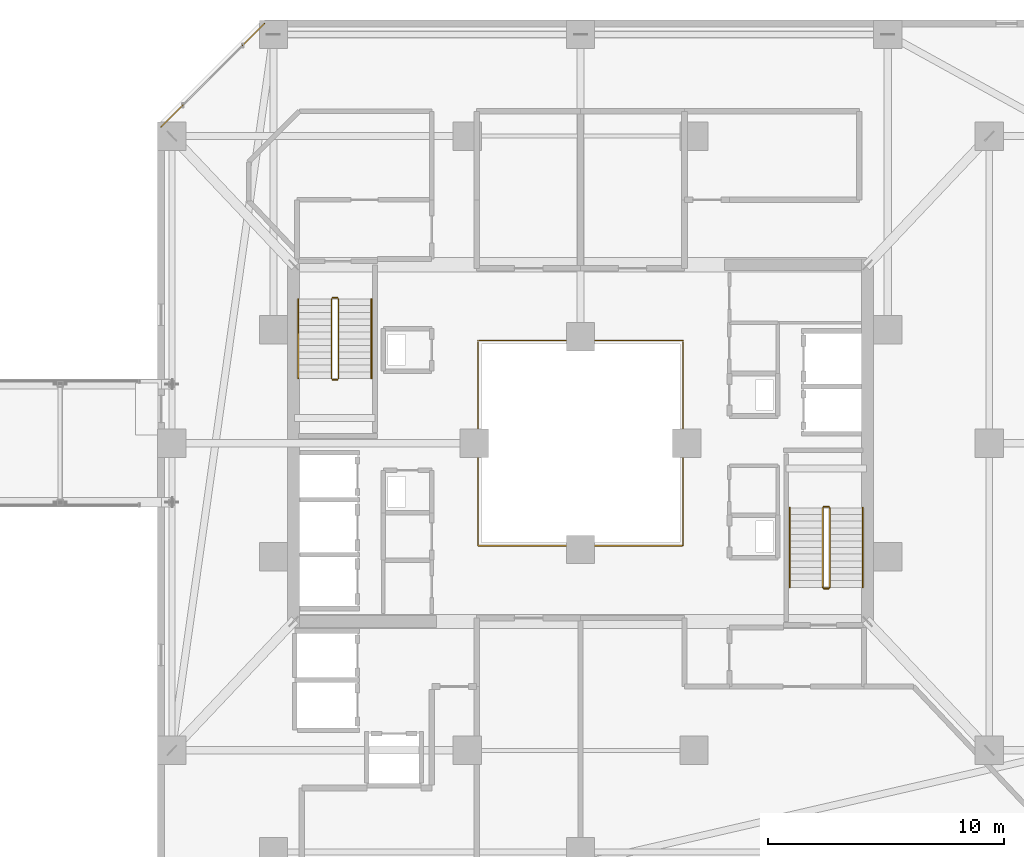
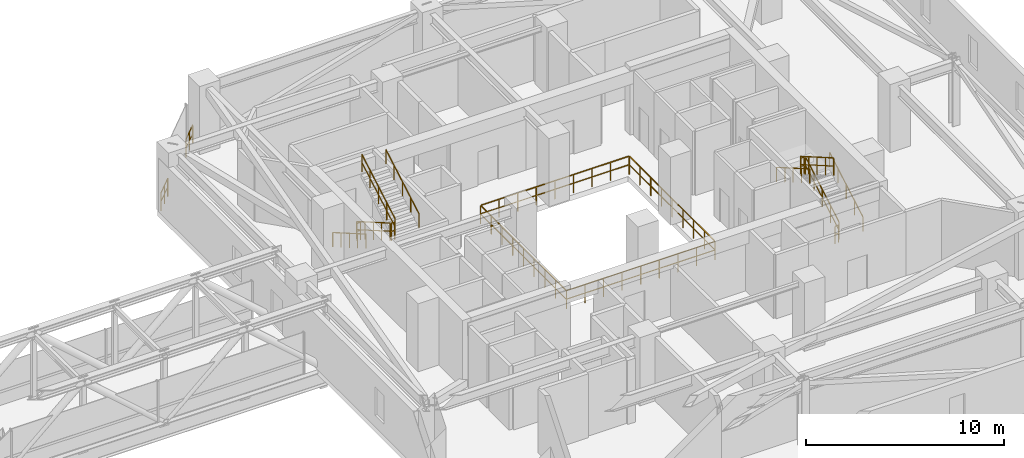
# One storey, part 45 of 45: 15 railings.
"""IFC4 building model written with IfcOpenShell, lengths in metres."""

from ifc_helpers import new_model, si_unit, direction, frame, origin, origin_2d, place, context, subcontext, project, spatial, rectangle, extrude, material, type_object, element, save


model = new_model("IFC4")

# Units and contexts
model_context = context("Model", 3, precision=1e-05, world=origin(), true_north=direction((0.0, 1.0)))
body_context = subcontext(model_context, "Body", "Model", "MODEL_VIEW")
ifc_project = project(units=[si_unit("LENGTHUNIT", "METRE"), si_unit("AREAUNIT", "SQUARE_METRE"), si_unit("VOLUMEUNIT", "CUBIC_METRE"), si_unit("PLANEANGLEUNIT", "RADIAN"), si_unit("MASSUNIT", "GRAM", prefix="KILO")], contexts=[model_context])

# Site, building, storey
site_placement = place(None, origin())
site = spatial("IfcSite", under=ifc_project, at=site_placement, CompositionType="ELEMENT")
building_placement = place(site_placement, origin())
building = spatial("IfcBuilding", under=site, at=building_placement, Name="Thornwick Lancets Civic Towers", CompositionType="ELEMENT")
storey_placement = place(building_placement, frame((0.0, 0.0, 141.300048828125)))
storey = spatial("IfcBuildingStorey", under=building, at=storey_placement, Name="L37", CompositionType="ELEMENT", Elevation=141.300048828125)

# Railings
ifc_material_1 = material(Name="Laminated glass and bronze steel S355", Category="steel")
railing_type_1 = type_object("IfcRailingType", Name="RAIL_ATRIUM_GUARD", PredefinedType="BALUSTRADE", material=ifc_material_1)
railing_1_placement = place(storey_placement, frame((84.159912109375, 22.659912109375, 0.0)))
element("IfcRailing", 1, at=railing_1_placement, inside=storey, type_object=railing_type_1, Name="L37 Tower B Central Atrium Guard Balustrade", PredefinedType="BALUSTRADE", context=body_context, shape_type="SweptSolid", body=[
    extrude(rectangle(XDim=0.048095703125, YDim=0.048095703125, at=origin_2d()), frame((0.0, 0.0, 1.1259765625), z_axis=(1.0, 0.0, 0.0), x_axis=(0.0, 1.0, 0.0)), (0.0, 0.0, 1.0), 8.64892578125),
    extrude(rectangle(XDim=0.0419921875, YDim=0.0419921875, at=origin_2d()), frame((0.03759765625, 0.0, 0.597900390625), z_axis=(1.0, 0.0, 0.0), x_axis=(0.0, 1.0, 0.0)), (0.0, 0.0, 1.0), 1.010009765625),
    extrude(rectangle(XDim=0.0419921875, YDim=0.0419921875, at=origin_2d()), frame((1.12255859375, 0.0, 0.597900390625), z_axis=(1.0, 0.0, 0.0), x_axis=(0.0, 1.0, 0.0)), (0.0, 0.0, 1.0), 1.010009765625),
    extrude(rectangle(XDim=0.0419921875, YDim=0.0419921875, at=origin_2d()), frame((2.20751953125, 0.0, 0.597900390625), z_axis=(1.0, 0.0, 0.0), x_axis=(0.0, 1.0, 0.0)), (0.0, 0.0, 1.0), 1.010009765625),
    extrude(rectangle(XDim=0.0419921875, YDim=0.0419921875, at=origin_2d()), frame((3.29248046875, 0.0, 0.597900390625), z_axis=(1.0, 0.0, 0.0), x_axis=(0.0, 1.0, 0.0)), (0.0, 0.0, 1.0), 1.010009765625),
    extrude(rectangle(XDim=0.0419921875, YDim=0.0419921875, at=origin_2d()), frame((4.377685546875, 0.0, 0.597900390625), z_axis=(1.0, 0.0, 0.0), x_axis=(0.0, 1.0, 0.0)), (0.0, 0.0, 1.0), 1.010009765625),
    extrude(rectangle(XDim=0.0419921875, YDim=0.0419921875, at=origin_2d()), frame((5.462646484375, 0.0, 0.597900390625), z_axis=(1.0, 0.0, 0.0), x_axis=(0.0, 1.0, 0.0)), (0.0, 0.0, 1.0), 1.010009765625),
    extrude(rectangle(XDim=0.0419921875, YDim=0.0419921875, at=origin_2d()), frame((6.547607421875, 0.0, 0.597900390625), z_axis=(1.0, 0.0, 0.0), x_axis=(0.0, 1.0, 0.0)), (0.0, 0.0, 1.0), 1.010009765625),
    extrude(rectangle(XDim=0.0419921875, YDim=0.0419921875, at=origin_2d()), frame((7.632568359375, 0.0, 0.597900390625), z_axis=(1.0, 0.0, 0.0), x_axis=(0.0, 1.0, 0.0)), (0.0, 0.0, 1.0), 1.010009765625),
    extrude(rectangle(XDim=0.048095703125, YDim=0.048095703125, at=origin_2d()), frame((8.68017578125, 0.03125, 1.1259765625), z_axis=(0.0, 1.0, 0.0), x_axis=(-1.0, 0.0, 0.0)), (0.0, 0.0, 1.0), 8.61767578125),
    extrude(rectangle(XDim=0.0419921875, YDim=0.0419921875, at=origin_2d()), frame((8.68017578125, 0.03759765625, 0.597900390625), z_axis=(0.0, 1.0, 0.0), x_axis=(-1.0, 0.0, 0.0)), (0.0, 0.0, 1.0), 1.010009765625),
    extrude(rectangle(XDim=0.0419921875, YDim=0.0419921875, at=origin_2d()), frame((8.68017578125, 1.12255859375, 0.597900390625), z_axis=(0.0, 1.0, 0.0), x_axis=(-1.0, 0.0, 0.0)), (0.0, 0.0, 1.0), 1.010009765625),
    extrude(rectangle(XDim=0.0419921875, YDim=0.0419921875, at=origin_2d()), frame((8.68017578125, 2.20751953125, 0.597900390625), z_axis=(0.0, 1.0, 0.0), x_axis=(-1.0, 0.0, 0.0)), (0.0, 0.0, 1.0), 1.010009765625),
    extrude(rectangle(XDim=0.0419921875, YDim=0.0419921875, at=origin_2d()), frame((8.68017578125, 3.29248046875, 0.597900390625), z_axis=(0.0, 1.0, 0.0), x_axis=(-1.0, 0.0, 0.0)), (0.0, 0.0, 1.0), 1.010009765625),
    extrude(rectangle(XDim=0.0419921875, YDim=0.0419921875, at=origin_2d()), frame((8.68017578125, 4.377685546875, 0.597900390625), z_axis=(0.0, 1.0, 0.0), x_axis=(-1.0, 0.0, 0.0)), (0.0, 0.0, 1.0), 1.010009765625),
    extrude(rectangle(XDim=0.0419921875, YDim=0.0419921875, at=origin_2d()), frame((8.68017578125, 5.462646484375, 0.597900390625), z_axis=(0.0, 1.0, 0.0), x_axis=(-1.0, 0.0, 0.0)), (0.0, 0.0, 1.0), 1.010009765625),
    extrude(rectangle(XDim=0.0419921875, YDim=0.0419921875, at=origin_2d()), frame((8.68017578125, 6.547607421875, 0.597900390625), z_axis=(0.0, 1.0, 0.0), x_axis=(-1.0, 0.0, 0.0)), (0.0, 0.0, 1.0), 1.010009765625),
    extrude(rectangle(XDim=0.0419921875, YDim=0.0419921875, at=origin_2d()), frame((8.68017578125, 7.632568359375, 0.597900390625), z_axis=(0.0, 1.0, 0.0), x_axis=(-1.0, 0.0, 0.0)), (0.0, 0.0, 1.0), 1.010009765625),
    extrude(rectangle(XDim=0.048095703125, YDim=0.048095703125, at=origin_2d()), frame((8.64892578125, 8.68017578125, 1.1259765625), z_axis=(-1.0, 0.0, 0.0), x_axis=(0.0, -1.0, 0.0)), (0.0, 0.0, 1.0), 8.61767578125),
    extrude(rectangle(XDim=0.0419921875, YDim=0.0419921875, at=origin_2d()), frame((8.642578125, 8.68017578125, 0.597900390625), z_axis=(-1.0, 0.0, 0.0), x_axis=(0.0, -1.0, 0.0)), (0.0, 0.0, 1.0), 1.010009765625),
    extrude(rectangle(XDim=0.0419921875, YDim=0.0419921875, at=origin_2d()), frame((7.5576171875, 8.68017578125, 0.597900390625), z_axis=(-1.0, 0.0, 0.0), x_axis=(0.0, -1.0, 0.0)), (0.0, 0.0, 1.0), 1.010009765625),
    extrude(rectangle(XDim=0.0419921875, YDim=0.0419921875, at=origin_2d()), frame((6.47265625, 8.68017578125, 0.597900390625), z_axis=(-1.0, 0.0, 0.0), x_axis=(0.0, -1.0, 0.0)), (0.0, 0.0, 1.0), 1.010009765625),
    extrude(rectangle(XDim=0.0419921875, YDim=0.0419921875, at=origin_2d()), frame((5.3876953125, 8.68017578125, 0.597900390625), z_axis=(-1.0, 0.0, 0.0), x_axis=(0.0, -1.0, 0.0)), (0.0, 0.0, 1.0), 1.010009765625),
    extrude(rectangle(XDim=0.0419921875, YDim=0.0419921875, at=origin_2d()), frame((4.302490234375, 8.68017578125, 0.597900390625), z_axis=(-1.0, 0.0, 0.0), x_axis=(0.0, -1.0, 0.0)), (0.0, 0.0, 1.0), 1.010009765625),
    extrude(rectangle(XDim=0.0419921875, YDim=0.0419921875, at=origin_2d()), frame((3.217529296875, 8.68017578125, 0.597900390625), z_axis=(-1.0, 0.0, 0.0), x_axis=(0.0, -1.0, 0.0)), (0.0, 0.0, 1.0), 1.010009765625),
    extrude(rectangle(XDim=0.0419921875, YDim=0.0419921875, at=origin_2d()), frame((2.132568359375, 8.68017578125, 0.597900390625), z_axis=(-1.0, 0.0, 0.0), x_axis=(0.0, -1.0, 0.0)), (0.0, 0.0, 1.0), 1.010009765625),
    extrude(rectangle(XDim=0.0419921875, YDim=0.0419921875, at=origin_2d()), frame((1.047607421875, 8.68017578125, 0.597900390625), z_axis=(-1.0, 0.0, 0.0), x_axis=(0.0, -1.0, 0.0)), (0.0, 0.0, 1.0), 1.010009765625),
    extrude(rectangle(XDim=0.048095703125, YDim=0.048095703125, at=origin_2d()), frame((0.0, 8.64892578125, 1.1259765625), z_axis=(0.0, -1.0, 0.0), x_axis=(1.0, 0.0, 0.0)), (0.0, 0.0, 1.0), 8.64892578125),
    extrude(rectangle(XDim=0.0419921875, YDim=0.0419921875, at=origin_2d()), frame((0.0, 8.642578125, 0.597900390625), z_axis=(0.0, -1.0, 0.0), x_axis=(1.0, 0.0, 0.0)), (0.0, 0.0, 1.0), 1.010009765625),
    extrude(rectangle(XDim=0.0419921875, YDim=0.0419921875, at=origin_2d()), frame((0.0, 7.5576171875, 0.597900390625), z_axis=(0.0, -1.0, 0.0), x_axis=(1.0, 0.0, 0.0)), (0.0, 0.0, 1.0), 1.010009765625),
    extrude(rectangle(XDim=0.0419921875, YDim=0.0419921875, at=origin_2d()), frame((0.0, 6.47265625, 0.597900390625), z_axis=(0.0, -1.0, 0.0), x_axis=(1.0, 0.0, 0.0)), (0.0, 0.0, 1.0), 1.010009765625),
    extrude(rectangle(XDim=0.0419921875, YDim=0.0419921875, at=origin_2d()), frame((0.0, 5.3876953125, 0.597900390625), z_axis=(0.0, -1.0, 0.0), x_axis=(1.0, 0.0, 0.0)), (0.0, 0.0, 1.0), 1.010009765625),
    extrude(rectangle(XDim=0.0419921875, YDim=0.0419921875, at=origin_2d()), frame((0.0, 4.302490234375, 0.597900390625), z_axis=(0.0, -1.0, 0.0), x_axis=(1.0, 0.0, 0.0)), (0.0, 0.0, 1.0), 1.010009765625),
    extrude(rectangle(XDim=0.0419921875, YDim=0.0419921875, at=origin_2d()), frame((0.0, 3.217529296875, 0.597900390625), z_axis=(0.0, -1.0, 0.0), x_axis=(1.0, 0.0, 0.0)), (0.0, 0.0, 1.0), 1.010009765625),
    extrude(rectangle(XDim=0.0419921875, YDim=0.0419921875, at=origin_2d()), frame((0.0, 2.132568359375, 0.597900390625), z_axis=(0.0, -1.0, 0.0), x_axis=(1.0, 0.0, 0.0)), (0.0, 0.0, 1.0), 1.010009765625),
    extrude(rectangle(XDim=0.0419921875, YDim=0.0419921875, at=origin_2d()), frame((0.0, 1.047607421875, 0.597900390625), z_axis=(0.0, -1.0, 0.0), x_axis=(1.0, 0.0, 0.0)), (0.0, 0.0, 1.0), 1.010009765625),
    extrude(rectangle(XDim=0.0419921875, YDim=0.0419921875, at=origin_2d()), origin(), (0.0, 0.0, 1.0), 1.095703125),
    extrude(rectangle(XDim=0.0419921875, YDim=0.0419921875, at=origin_2d()), frame((1.0849609375, 0.0, 0.0)), (0.0, 0.0, 1.0), 1.095703125),
    extrude(rectangle(XDim=0.0419921875, YDim=0.0419921875, at=origin_2d()), frame((2.169921875, 0.0, 0.0)), (0.0, 0.0, 1.0), 1.095703125),
    extrude(rectangle(XDim=0.0419921875, YDim=0.0419921875, at=origin_2d()), frame((3.255126953125, 0.0, 0.0)), (0.0, 0.0, 1.0), 1.095703125),
    extrude(rectangle(XDim=0.0419921875, YDim=0.0419921875, at=origin_2d()), frame((4.340087890625, 0.0, 0.0)), (0.0, 0.0, 1.0), 1.095703125),
    extrude(rectangle(XDim=0.0419921875, YDim=0.0419921875, at=origin_2d()), frame((5.425048828125, 0.0, 0.0)), (0.0, 0.0, 1.0), 1.095703125),
    extrude(rectangle(XDim=0.0419921875, YDim=0.0419921875, at=origin_2d()), frame((6.51025390625, 0.0, 0.0)), (0.0, 0.0, 1.0), 1.095703125),
    extrude(rectangle(XDim=0.0419921875, YDim=0.0419921875, at=origin_2d()), frame((7.59521484375, 0.0, 0.0)), (0.0, 0.0, 1.0), 1.095703125),
    extrude(rectangle(XDim=0.0419921875, YDim=0.0419921875, at=origin_2d()), frame((8.68017578125, 0.0, 0.0)), (0.0, 0.0, 1.0), 1.095703125),
    extrude(rectangle(XDim=0.0419921875, YDim=0.0419921875, at=origin_2d()), frame((8.68017578125, 1.0849609375, 0.0)), (0.0, 0.0, 1.0), 1.095703125),
    extrude(rectangle(XDim=0.0419921875, YDim=0.0419921875, at=origin_2d()), frame((8.68017578125, 2.169921875, 0.0)), (0.0, 0.0, 1.0), 1.095703125),
    extrude(rectangle(XDim=0.0419921875, YDim=0.0419921875, at=origin_2d()), frame((8.68017578125, 3.255126953125, 0.0)), (0.0, 0.0, 1.0), 1.095703125),
    extrude(rectangle(XDim=0.0419921875, YDim=0.0419921875, at=origin_2d()), frame((8.68017578125, 4.340087890625, 0.0)), (0.0, 0.0, 1.0), 1.095703125),
    extrude(rectangle(XDim=0.0419921875, YDim=0.0419921875, at=origin_2d()), frame((8.68017578125, 5.425048828125, 0.0)), (0.0, 0.0, 1.0), 1.095703125),
    extrude(rectangle(XDim=0.0419921875, YDim=0.0419921875, at=origin_2d()), frame((8.68017578125, 6.51025390625, 0.0)), (0.0, 0.0, 1.0), 1.095703125),
    extrude(rectangle(XDim=0.0419921875, YDim=0.0419921875, at=origin_2d()), frame((8.68017578125, 7.59521484375, 0.0)), (0.0, 0.0, 1.0), 1.095703125),
    extrude(rectangle(XDim=0.0419921875, YDim=0.0419921875, at=origin_2d()), frame((8.68017578125, 8.68017578125, 0.0)), (0.0, 0.0, 1.0), 1.095703125),
    extrude(rectangle(XDim=0.0419921875, YDim=0.0419921875, at=origin_2d()), frame((7.59521484375, 8.68017578125, 0.0)), (0.0, 0.0, 1.0), 1.095703125),
    extrude(rectangle(XDim=0.0419921875, YDim=0.0419921875, at=origin_2d()), frame((6.51025390625, 8.68017578125, 0.0)), (0.0, 0.0, 1.0), 1.095703125),
    extrude(rectangle(XDim=0.0419921875, YDim=0.0419921875, at=origin_2d()), frame((5.425048828125, 8.68017578125, 0.0)), (0.0, 0.0, 1.0), 1.095703125),
    extrude(rectangle(XDim=0.0419921875, YDim=0.0419921875, at=origin_2d()), frame((4.340087890625, 8.68017578125, 0.0)), (0.0, 0.0, 1.0), 1.095703125),
    extrude(rectangle(XDim=0.0419921875, YDim=0.0419921875, at=origin_2d()), frame((3.255126953125, 8.68017578125, 0.0)), (0.0, 0.0, 1.0), 1.095703125),
    extrude(rectangle(XDim=0.0419921875, YDim=0.0419921875, at=origin_2d()), frame((2.169921875, 8.68017578125, 0.0)), (0.0, 0.0, 1.0), 1.095703125),
    extrude(rectangle(XDim=0.0419921875, YDim=0.0419921875, at=origin_2d()), frame((1.0849609375, 8.68017578125, 0.0)), (0.0, 0.0, 1.0), 1.095703125),
    extrude(rectangle(XDim=0.0419921875, YDim=0.0419921875, at=origin_2d()), frame((0.0, 8.68017578125, 0.0)), (0.0, 0.0, 1.0), 1.095703125),
    extrude(rectangle(XDim=0.0419921875, YDim=0.0419921875, at=origin_2d()), frame((0.0, 7.59521484375, 0.0)), (0.0, 0.0, 1.0), 1.095703125),
    extrude(rectangle(XDim=0.0419921875, YDim=0.0419921875, at=origin_2d()), frame((0.0, 6.51025390625, 0.0)), (0.0, 0.0, 1.0), 1.095703125),
    extrude(rectangle(XDim=0.0419921875, YDim=0.0419921875, at=origin_2d()), frame((0.0, 5.425048828125, 0.0)), (0.0, 0.0, 1.0), 1.095703125),
    extrude(rectangle(XDim=0.0419921875, YDim=0.0419921875, at=origin_2d()), frame((0.0, 4.340087890625, 0.0)), (0.0, 0.0, 1.0), 1.095703125),
    extrude(rectangle(XDim=0.0419921875, YDim=0.0419921875, at=origin_2d()), frame((0.0, 3.255126953125, 0.0)), (0.0, 0.0, 1.0), 1.095703125),
    extrude(rectangle(XDim=0.0419921875, YDim=0.0419921875, at=origin_2d()), frame((0.0, 2.169921875, 0.0)), (0.0, 0.0, 1.0), 1.095703125),
    extrude(rectangle(XDim=0.0419921875, YDim=0.0419921875, at=origin_2d()), frame((0.0, 1.0849609375, 0.0)), (0.0, 0.0, 1.0), 1.095703125),
])
ifc_material_2 = material(Name="Brushed stainless steel S355", Category="steel")
railing_type_2 = type_object("IfcRailingType", Name="RAIL_HANDRAIL", PredefinedType="HANDRAIL", material=ifc_material_2)
railing_2_placement = place(storey_placement, frame((100.449951171875, 20.89990234375, 0.161376953125)))
element("IfcRailing", 2, at=railing_2_placement, inside=storey, type_object=railing_type_2, Name="L37 ST-B1 stair handrail 1", PredefinedType="HANDRAIL", context=body_context, shape_type="SweptSolid", body=[
    extrude(rectangle(XDim=0.048095703125, YDim=0.048095703125, at=origin_2d()), frame((0.0, 0.0, 0.8857421875), z_axis=(0.0, 0.866190824863, 0.499713372768), x_axis=(-1.0, 0.0, 0.0)), (0.0, 0.0, 1.0), 3.879150390625),
    extrude(rectangle(XDim=0.0419921875, YDim=0.0419921875, at=origin_2d()), origin(), (0.0, 0.0, 1.0), 0.855712890625),
    extrude(rectangle(XDim=0.0419921875, YDim=0.0419921875, at=origin_2d()), frame((0.0, 0.840087890625, 0.484619140625)), (0.0, 0.0, 1.0), 0.855712890625),
    extrude(rectangle(XDim=0.0419921875, YDim=0.0419921875, at=origin_2d()), frame((0.0, 1.68017578125, 0.96923828125)), (0.0, 0.0, 1.0), 0.855712890625),
    extrude(rectangle(XDim=0.0419921875, YDim=0.0419921875, at=origin_2d()), frame((0.0, 2.52001953125, 1.453857421875)), (0.0, 0.0, 1.0), 0.855712890625),
    extrude(rectangle(XDim=0.0419921875, YDim=0.0419921875, at=origin_2d()), frame((0.0, 3.360107421875, 1.9384765625)), (0.0, 0.0, 1.0), 0.855712890625),
])
for number, where, name in (
    (3, (97.35009765625, 24.260009765625, 2.261474609375), "L37 ST-B1 stair handrail 2"),
    (4, (76.550048828125, 33.10009765625, 0.161376953125), "L37 ST-B2 stair handrail 1"),
):
    element("IfcRailing", number, at=place(storey_placement, frame(where)), inside=storey, type_object=railing_type_2, Name=name, PredefinedType="HANDRAIL", context=body_context, shape_type="SweptSolid", body=[
        extrude(rectangle(XDim=0.048095703125, YDim=0.048095703125, at=origin_2d()), frame((0.0, 0.0, 0.8857421875), z_axis=(0.0, -0.866190824863, 0.499713372768), x_axis=(1.0, 0.0, 0.0)), (0.0, 0.0, 1.0), 3.879150390625),
        extrude(rectangle(XDim=0.0419921875, YDim=0.0419921875, at=origin_2d()), origin(), (0.0, 0.0, 1.0), 0.855712890625),
        extrude(rectangle(XDim=0.0419921875, YDim=0.0419921875, at=origin_2d()), frame((0.0, -0.840087890625, 0.484619140625)), (0.0, 0.0, 1.0), 0.855712890625),
        extrude(rectangle(XDim=0.0419921875, YDim=0.0419921875, at=origin_2d()), frame((0.0, -1.68017578125, 0.96923828125)), (0.0, 0.0, 1.0), 0.855712890625),
        extrude(rectangle(XDim=0.0419921875, YDim=0.0419921875, at=origin_2d()), frame((0.0, -2.52001953125, 1.453857421875)), (0.0, 0.0, 1.0), 0.855712890625),
        extrude(rectangle(XDim=0.0419921875, YDim=0.0419921875, at=origin_2d()), frame((0.0, -3.360107421875, 1.9384765625)), (0.0, 0.0, 1.0), 0.855712890625),
    ])
railing_3_placement = place(storey_placement, frame((79.64990234375, 29.739990234375, 2.261474609375)))
element("IfcRailing", 5, at=railing_3_placement, inside=storey, type_object=railing_type_2, Name="L37 ST-B2 stair handrail 2", PredefinedType="HANDRAIL", context=body_context, shape_type="SweptSolid", body=[
    extrude(rectangle(XDim=0.048095703125, YDim=0.048095703125, at=origin_2d()), frame((0.0, 0.0, 0.8857421875), z_axis=(0.0, 0.866190824863, 0.499713372768), x_axis=(-1.0, 0.0, 0.0)), (0.0, 0.0, 1.0), 3.879150390625),
    extrude(rectangle(XDim=0.0419921875, YDim=0.0419921875, at=origin_2d()), origin(), (0.0, 0.0, 1.0), 0.855712890625),
    extrude(rectangle(XDim=0.0419921875, YDim=0.0419921875, at=origin_2d()), frame((0.0, 0.840087890625, 0.484619140625)), (0.0, 0.0, 1.0), 0.855712890625),
    extrude(rectangle(XDim=0.0419921875, YDim=0.0419921875, at=origin_2d()), frame((0.0, 1.68017578125, 0.96923828125)), (0.0, 0.0, 1.0), 0.855712890625),
    extrude(rectangle(XDim=0.0419921875, YDim=0.0419921875, at=origin_2d()), frame((0.0, 2.52001953125, 1.453857421875)), (0.0, 0.0, 1.0), 0.855712890625),
    extrude(rectangle(XDim=0.0419921875, YDim=0.0419921875, at=origin_2d()), frame((0.0, 3.360107421875, 1.9384765625)), (0.0, 0.0, 1.0), 0.855712890625),
])
ifc_material_3 = material(Name="Steel S355JR", Category="steel")
railing_type_3 = type_object("IfcRailingType", Name="RAIL_STAIR_GUARD", PredefinedType="GUARDRAIL", material=ifc_material_3)
railing_4_placement = place(storey_placement, frame((99.050048828125, 20.89990234375, 0.161376953125)))
element("IfcRailing", 6, at=railing_4_placement, inside=storey, type_object=railing_type_3, Name="L37 ST-B1 stair guard 1", PredefinedType="GUARDRAIL", context=body_context, shape_type="SweptSolid", body=[
    extrude(rectangle(XDim=0.048095703125, YDim=0.048095703125, at=origin_2d()), frame((0.0, 0.0, 1.076171875), z_axis=(0.0, 0.866190824863, 0.499713372768), x_axis=(-1.0, 0.0, 0.0)), (0.0, 0.0, 1.0), 3.879150390625),
    extrude(rectangle(XDim=0.0419921875, YDim=0.0419921875, at=origin_2d()), frame((0.0, 0.032470703125, 0.5908203125), z_axis=(0.0, 0.866190824863, 0.499713372768), x_axis=(-1.0, 0.0, 0.0)), (0.0, 0.0, 1.0), 0.894775390625),
    extrude(rectangle(XDim=0.0419921875, YDim=0.0419921875, at=origin_2d()), frame((0.0, 0.87255859375, 1.075439453125), z_axis=(0.0, 0.866190824863, 0.499713372768), x_axis=(-1.0, 0.0, 0.0)), (0.0, 0.0, 1.0), 0.894775390625),
    extrude(rectangle(XDim=0.0419921875, YDim=0.0419921875, at=origin_2d()), frame((0.0, 1.712646484375, 1.56005859375), z_axis=(0.0, 0.866190824863, 0.499713372768), x_axis=(-1.0, 0.0, 0.0)), (0.0, 0.0, 1.0), 0.894775390625),
    extrude(rectangle(XDim=0.0419921875, YDim=0.0419921875, at=origin_2d()), frame((0.0, 2.552490234375, 2.044677734375), z_axis=(0.0, 0.866190824863, 0.499713372768), x_axis=(-1.0, 0.0, 0.0)), (0.0, 0.0, 1.0), 0.894775390625),
    extrude(rectangle(XDim=0.0419921875, YDim=0.0419921875, at=origin_2d()), origin(), (0.0, 0.0, 1.0), 1.0458984375),
    extrude(rectangle(XDim=0.0419921875, YDim=0.0419921875, at=origin_2d()), frame((0.0, 0.840087890625, 0.484619140625)), (0.0, 0.0, 1.0), 1.0458984375),
    extrude(rectangle(XDim=0.0419921875, YDim=0.0419921875, at=origin_2d()), frame((0.0, 1.68017578125, 0.96923828125)), (0.0, 0.0, 1.0), 1.0458984375),
    extrude(rectangle(XDim=0.0419921875, YDim=0.0419921875, at=origin_2d()), frame((0.0, 2.52001953125, 1.453857421875)), (0.0, 0.0, 1.0), 1.0458984375),
    extrude(rectangle(XDim=0.0419921875, YDim=0.0419921875, at=origin_2d()), frame((0.0, 3.360107421875, 1.9384765625)), (0.0, 0.0, 1.0), 1.0458984375),
])
railing_5_placement = place(storey_placement, frame((99.0, 24.31005859375, 2.099853515625)))
element("IfcRailing", 7, at=railing_5_placement, inside=storey, type_object=railing_type_3, Name="L37 ST-B1 stair guard 2", PredefinedType="GUARDRAIL", context=body_context, shape_type="SweptSolid", body=[
    extrude(rectangle(XDim=0.048095703125, YDim=0.048095703125, at=origin_2d()), frame((0.0, 0.0, 1.076171875), z_axis=(-1.0, 0.0, 0.0), x_axis=(0.0, -1.0, 0.0)), (0.0, 0.0, 1.0), 0.199951171875),
    extrude(rectangle(XDim=0.0419921875, YDim=0.0419921875, at=origin_2d()), frame((-0.03759765625, 0.0, 0.572021484375), z_axis=(-1.0, 0.0, 0.0), x_axis=(0.0, -1.0, 0.0)), (0.0, 0.0, 1.0), 0.125),
    extrude(rectangle(XDim=0.0419921875, YDim=0.0419921875, at=origin_2d()), origin(), (0.0, 0.0, 1.0), 1.0458984375),
    extrude(rectangle(XDim=0.0419921875, YDim=0.0419921875, at=origin_2d()), frame((-0.199951171875, 0.0, 0.0)), (0.0, 0.0, 1.0), 1.0458984375),
])
railing_6_placement = place(storey_placement, frame((98.75, 24.260009765625, 2.261474609375)))
element("IfcRailing", 8, at=railing_6_placement, inside=storey, type_object=railing_type_3, Name="L37 ST-B1 stair guard 3", PredefinedType="GUARDRAIL", context=body_context, shape_type="SweptSolid", body=[
    extrude(rectangle(XDim=0.048095703125, YDim=0.048095703125, at=origin_2d()), frame((0.0, 0.0, 1.076171875), z_axis=(0.0, -0.866190824863, 0.499713372768), x_axis=(1.0, 0.0, 0.0)), (0.0, 0.0, 1.0), 3.879150390625),
    extrude(rectangle(XDim=0.0419921875, YDim=0.0419921875, at=origin_2d()), frame((0.0, -0.032470703125, 0.5908203125), z_axis=(0.0, -0.866190824863, 0.499713372768), x_axis=(1.0, 0.0, 0.0)), (0.0, 0.0, 1.0), 0.894775390625),
    extrude(rectangle(XDim=0.0419921875, YDim=0.0419921875, at=origin_2d()), frame((0.0, -0.87255859375, 1.075439453125), z_axis=(0.0, -0.866190824863, 0.499713372768), x_axis=(1.0, 0.0, 0.0)), (0.0, 0.0, 1.0), 0.894775390625),
    extrude(rectangle(XDim=0.0419921875, YDim=0.0419921875, at=origin_2d()), frame((0.0, -1.712646484375, 1.56005859375), z_axis=(0.0, -0.866190824863, 0.499713372768), x_axis=(1.0, 0.0, 0.0)), (0.0, 0.0, 1.0), 0.894775390625),
    extrude(rectangle(XDim=0.0419921875, YDim=0.0419921875, at=origin_2d()), frame((0.0, -2.552490234375, 2.044677734375), z_axis=(0.0, -0.866190824863, 0.499713372768), x_axis=(1.0, 0.0, 0.0)), (0.0, 0.0, 1.0), 0.894775390625),
    extrude(rectangle(XDim=0.0419921875, YDim=0.0419921875, at=origin_2d()), origin(), (0.0, 0.0, 1.0), 1.0458984375),
    extrude(rectangle(XDim=0.0419921875, YDim=0.0419921875, at=origin_2d()), frame((0.0, -0.840087890625, 0.484619140625)), (0.0, 0.0, 1.0), 1.0458984375),
    extrude(rectangle(XDim=0.0419921875, YDim=0.0419921875, at=origin_2d()), frame((0.0, -1.68017578125, 0.96923828125)), (0.0, 0.0, 1.0), 1.0458984375),
    extrude(rectangle(XDim=0.0419921875, YDim=0.0419921875, at=origin_2d()), frame((0.0, -2.52001953125, 1.453857421875)), (0.0, 0.0, 1.0), 1.0458984375),
    extrude(rectangle(XDim=0.0419921875, YDim=0.0419921875, at=origin_2d()), frame((0.0, -3.360107421875, 1.9384765625)), (0.0, 0.0, 1.0), 1.0458984375),
])
railing_7_placement = place(storey_placement, frame((99.0, 20.85009765625, 0.0)))
element("IfcRailing", 9, at=railing_7_placement, inside=storey, type_object=railing_type_3, Name="L37 ST-B1 stair guard 4", PredefinedType="GUARDRAIL", context=body_context, shape_type="SweptSolid", body=[
    extrude(rectangle(XDim=0.048095703125, YDim=0.048095703125, at=origin_2d()), frame((0.0, 0.0, 1.076171875), z_axis=(-1.0, 0.0, 0.0), x_axis=(0.0, -1.0, 0.0)), (0.0, 0.0, 1.0), 0.199951171875),
    extrude(rectangle(XDim=0.0419921875, YDim=0.0419921875, at=origin_2d()), frame((-0.03759765625, 0.0, 0.572021484375), z_axis=(-1.0, 0.0, 0.0), x_axis=(0.0, -1.0, 0.0)), (0.0, 0.0, 1.0), 0.125),
    extrude(rectangle(XDim=0.0419921875, YDim=0.0419921875, at=origin_2d()), origin(), (0.0, 0.0, 1.0), 1.0458984375),
    extrude(rectangle(XDim=0.0419921875, YDim=0.0419921875, at=origin_2d()), frame((-0.199951171875, 0.0, 0.0)), (0.0, 0.0, 1.0), 1.0458984375),
])
railing_8_placement = place(storey_placement, frame((77.949951171875, 33.10009765625, 0.161376953125)))
element("IfcRailing", 10, at=railing_8_placement, inside=storey, type_object=railing_type_3, Name="L37 ST-B2 stair guard 1", PredefinedType="GUARDRAIL", context=body_context, shape_type="SweptSolid", body=[
    extrude(rectangle(XDim=0.048095703125, YDim=0.048095703125, at=origin_2d()), frame((0.0, 0.0, 1.076171875), z_axis=(0.0, -0.866190824863, 0.499713372768), x_axis=(1.0, 0.0, 0.0)), (0.0, 0.0, 1.0), 3.879150390625),
    extrude(rectangle(XDim=0.0419921875, YDim=0.0419921875, at=origin_2d()), frame((0.0, -0.032470703125, 0.5908203125), z_axis=(0.0, -0.866190824863, 0.499713372768), x_axis=(1.0, 0.0, 0.0)), (0.0, 0.0, 1.0), 0.894775390625),
    extrude(rectangle(XDim=0.0419921875, YDim=0.0419921875, at=origin_2d()), frame((0.0, -0.87255859375, 1.075439453125), z_axis=(0.0, -0.866190824863, 0.499713372768), x_axis=(1.0, 0.0, 0.0)), (0.0, 0.0, 1.0), 0.894775390625),
    extrude(rectangle(XDim=0.0419921875, YDim=0.0419921875, at=origin_2d()), frame((0.0, -1.712646484375, 1.56005859375), z_axis=(0.0, -0.866190824863, 0.499713372768), x_axis=(1.0, 0.0, 0.0)), (0.0, 0.0, 1.0), 0.894775390625),
    extrude(rectangle(XDim=0.0419921875, YDim=0.0419921875, at=origin_2d()), frame((0.0, -2.552490234375, 2.044677734375), z_axis=(0.0, -0.866190824863, 0.499713372768), x_axis=(1.0, 0.0, 0.0)), (0.0, 0.0, 1.0), 0.894775390625),
    extrude(rectangle(XDim=0.0419921875, YDim=0.0419921875, at=origin_2d()), origin(), (0.0, 0.0, 1.0), 1.0458984375),
    extrude(rectangle(XDim=0.0419921875, YDim=0.0419921875, at=origin_2d()), frame((0.0, -0.840087890625, 0.484619140625)), (0.0, 0.0, 1.0), 1.0458984375),
    extrude(rectangle(XDim=0.0419921875, YDim=0.0419921875, at=origin_2d()), frame((0.0, -1.68017578125, 0.96923828125)), (0.0, 0.0, 1.0), 1.0458984375),
    extrude(rectangle(XDim=0.0419921875, YDim=0.0419921875, at=origin_2d()), frame((0.0, -2.52001953125, 1.453857421875)), (0.0, 0.0, 1.0), 1.0458984375),
    extrude(rectangle(XDim=0.0419921875, YDim=0.0419921875, at=origin_2d()), frame((0.0, -3.360107421875, 1.9384765625)), (0.0, 0.0, 1.0), 1.0458984375),
])
railing_9_placement = place(storey_placement, frame((78.0, 29.68994140625, 2.099853515625)))
element("IfcRailing", 11, at=railing_9_placement, inside=storey, type_object=railing_type_3, Name="L37 ST-B2 stair guard 2", PredefinedType="GUARDRAIL", context=body_context, shape_type="SweptSolid", body=[
    extrude(rectangle(XDim=0.048095703125, YDim=0.048095703125, at=origin_2d()), frame((0.0, 0.0, 1.076171875), z_axis=(1.0, 0.0, 0.0), x_axis=(0.0, 1.0, 0.0)), (0.0, 0.0, 1.0), 0.199951171875),
    extrude(rectangle(XDim=0.0419921875, YDim=0.0419921875, at=origin_2d()), frame((0.03759765625, 0.0, 0.572021484375), z_axis=(1.0, 0.0, 0.0), x_axis=(0.0, 1.0, 0.0)), (0.0, 0.0, 1.0), 0.125),
    extrude(rectangle(XDim=0.0419921875, YDim=0.0419921875, at=origin_2d()), origin(), (0.0, 0.0, 1.0), 1.0458984375),
    extrude(rectangle(XDim=0.0419921875, YDim=0.0419921875, at=origin_2d()), frame((0.199951171875, 0.0, 0.0)), (0.0, 0.0, 1.0), 1.0458984375),
])
railing_10_placement = place(storey_placement, frame((78.25, 29.739990234375, 2.261474609375)))
element("IfcRailing", 12, at=railing_10_placement, inside=storey, type_object=railing_type_3, Name="L37 ST-B2 stair guard 3", PredefinedType="GUARDRAIL", context=body_context, shape_type="SweptSolid", body=[
    extrude(rectangle(XDim=0.048095703125, YDim=0.048095703125, at=origin_2d()), frame((0.0, 0.0, 1.076171875), z_axis=(0.0, 0.866190824863, 0.499713372768), x_axis=(-1.0, 0.0, 0.0)), (0.0, 0.0, 1.0), 3.879150390625),
    extrude(rectangle(XDim=0.0419921875, YDim=0.0419921875, at=origin_2d()), frame((0.0, 0.032470703125, 0.5908203125), z_axis=(0.0, 0.866190824863, 0.499713372768), x_axis=(-1.0, 0.0, 0.0)), (0.0, 0.0, 1.0), 0.894775390625),
    extrude(rectangle(XDim=0.0419921875, YDim=0.0419921875, at=origin_2d()), frame((0.0, 0.87255859375, 1.075439453125), z_axis=(0.0, 0.866190824863, 0.499713372768), x_axis=(-1.0, 0.0, 0.0)), (0.0, 0.0, 1.0), 0.894775390625),
    extrude(rectangle(XDim=0.0419921875, YDim=0.0419921875, at=origin_2d()), frame((0.0, 1.712646484375, 1.56005859375), z_axis=(0.0, 0.866190824863, 0.499713372768), x_axis=(-1.0, 0.0, 0.0)), (0.0, 0.0, 1.0), 0.894775390625),
    extrude(rectangle(XDim=0.0419921875, YDim=0.0419921875, at=origin_2d()), frame((0.0, 2.552490234375, 2.044677734375), z_axis=(0.0, 0.866190824863, 0.499713372768), x_axis=(-1.0, 0.0, 0.0)), (0.0, 0.0, 1.0), 0.894775390625),
    extrude(rectangle(XDim=0.0419921875, YDim=0.0419921875, at=origin_2d()), origin(), (0.0, 0.0, 1.0), 1.0458984375),
    extrude(rectangle(XDim=0.0419921875, YDim=0.0419921875, at=origin_2d()), frame((0.0, 0.840087890625, 0.484619140625)), (0.0, 0.0, 1.0), 1.0458984375),
    extrude(rectangle(XDim=0.0419921875, YDim=0.0419921875, at=origin_2d()), frame((0.0, 1.68017578125, 0.96923828125)), (0.0, 0.0, 1.0), 1.0458984375),
    extrude(rectangle(XDim=0.0419921875, YDim=0.0419921875, at=origin_2d()), frame((0.0, 2.52001953125, 1.453857421875)), (0.0, 0.0, 1.0), 1.0458984375),
    extrude(rectangle(XDim=0.0419921875, YDim=0.0419921875, at=origin_2d()), frame((0.0, 3.360107421875, 1.9384765625)), (0.0, 0.0, 1.0), 1.0458984375),
])
railing_11_placement = place(storey_placement, frame((78.0, 33.14990234375, 0.0)))
element("IfcRailing", 13, at=railing_11_placement, inside=storey, type_object=railing_type_3, Name="L37 ST-B2 stair guard 4", PredefinedType="GUARDRAIL", context=body_context, shape_type="SweptSolid", body=[
    extrude(rectangle(XDim=0.048095703125, YDim=0.048095703125, at=origin_2d()), frame((0.0, 0.0, 1.076171875), z_axis=(1.0, 0.0, 0.0), x_axis=(0.0, 1.0, 0.0)), (0.0, 0.0, 1.0), 0.199951171875),
    extrude(rectangle(XDim=0.0419921875, YDim=0.0419921875, at=origin_2d()), frame((0.03759765625, 0.0, 0.572021484375), z_axis=(1.0, 0.0, 0.0), x_axis=(0.0, 1.0, 0.0)), (0.0, 0.0, 1.0), 0.125),
    extrude(rectangle(XDim=0.0419921875, YDim=0.0419921875, at=origin_2d()), origin(), (0.0, 0.0, 1.0), 1.0458984375),
    extrude(rectangle(XDim=0.0419921875, YDim=0.0419921875, at=origin_2d()), frame((0.199951171875, 0.0, 0.0)), (0.0, 0.0, 1.0), 1.0458984375),
])
ifc_material_4 = material(Name="Terracotta-capped laminated glass balustrade S355", Category="masonry")
railing_type_4 = type_object("IfcRailingType", Name="RAIL_TERR_GUARD", PredefinedType="GUARDRAIL", material=ifc_material_4)
for number, where, name in (
    (14, (75.111572265625, 44.7587890625, 0.0), "L37 Tower B Chamfer Spandrel Guard E5-1"),
    (15, (71.660400390625, 41.3076171875, 0.0), "L37 Tower B Chamfer Spandrel Guard E5-2"),
):
    element("IfcRailing", number, at=place(storey_placement, frame(where)), inside=storey, type_object=railing_type_4, Name=name, PredefinedType="GUARDRAIL", context=body_context, shape_type="SweptSolid", body=[
        extrude(rectangle(XDim=0.048095703125, YDim=0.048095703125, at=origin_2d()), frame((0.0, 0.0, 1.1259765625), z_axis=(-0.707106781187, -0.707106781187, 0.0), x_axis=(0.707106781187, -0.707106781187, 0.0)), (0.0, 0.0, 1.0), 1.300048828125),
        extrude(rectangle(XDim=0.0419921875, YDim=0.0419921875, at=origin_2d()), frame((-0.026611328125, -0.026611328125, 0.597900390625), z_axis=(-0.707106781187, -0.707106781187, 0.0), x_axis=(0.707106781187, -0.707106781187, 0.0)), (0.0, 0.0, 1.0), 0.574951171875),
        extrude(rectangle(XDim=0.0419921875, YDim=0.0419921875, at=origin_2d()), frame((-0.486083984375, -0.486083984375, 0.597900390625), z_axis=(-0.707106781187, -0.707106781187, 0.0), x_axis=(0.707106781187, -0.707106781187, 0.0)), (0.0, 0.0, 1.0), 0.574951171875),
        extrude(rectangle(XDim=0.0419921875, YDim=0.0419921875, at=origin_2d()), origin(), (0.0, 0.0, 1.0), 1.095703125),
        extrude(rectangle(XDim=0.0419921875, YDim=0.0419921875, at=origin_2d()), frame((-0.45947265625, -0.45947265625, 0.0)), (0.0, 0.0, 1.0), 1.095703125),
        extrude(rectangle(XDim=0.0419921875, YDim=0.0419921875, at=origin_2d()), frame((-0.919189453125, -0.919189453125, 0.0)), (0.0, 0.0, 1.0), 1.095703125),
    ])

save(model, "model.ifc")
